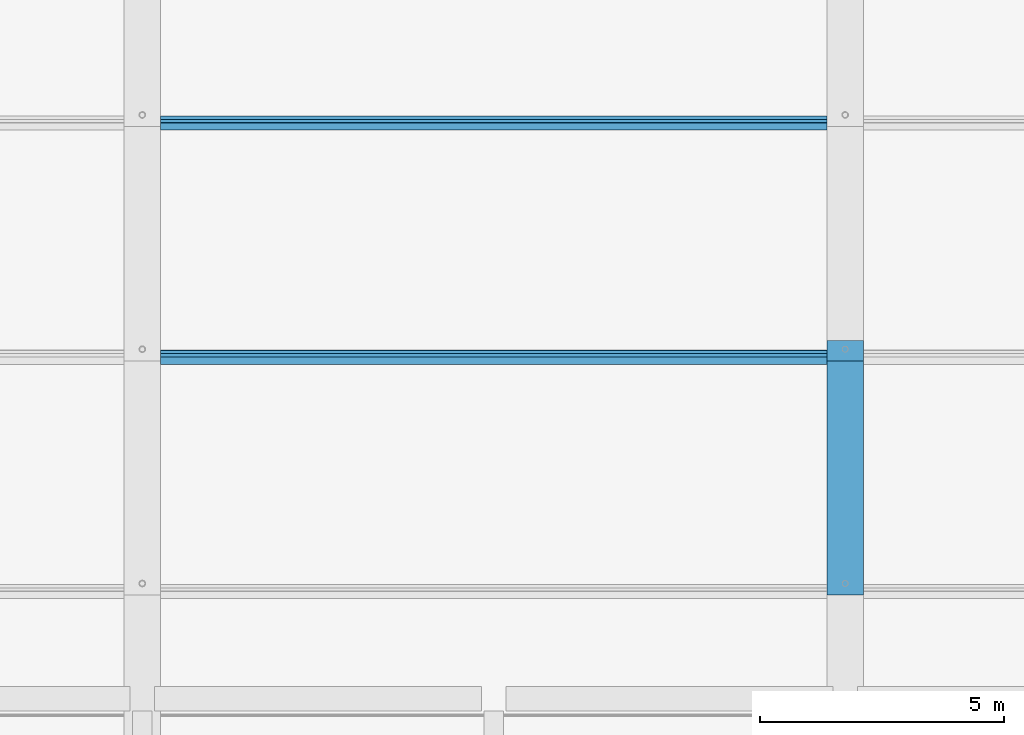
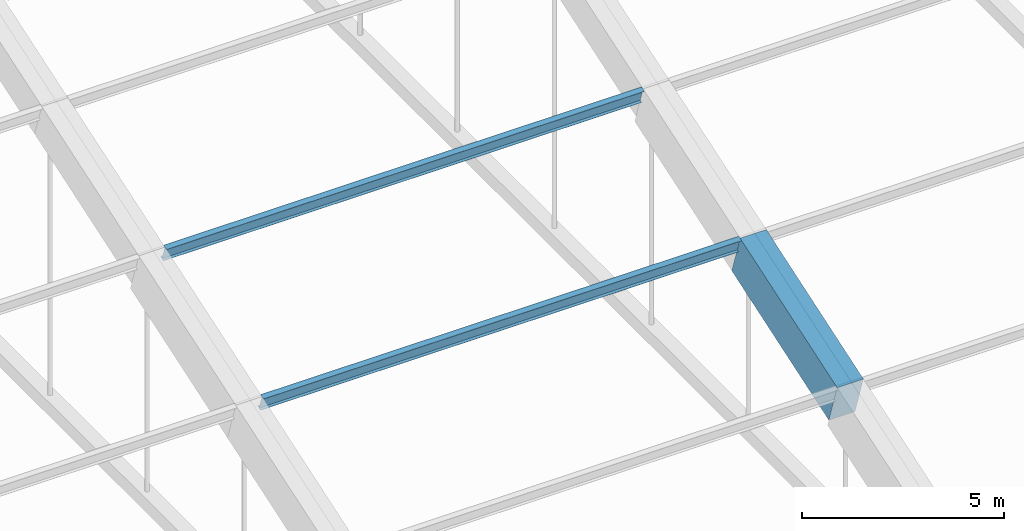
# One storey, part 11 of 149: 2 members, 1 beam.
"""IFC4 building model written with IfcOpenShell, lengths in metres."""

from ifc_helpers import new_model, si_unit, direction, frame, origin, origin_2d, place, context, subcontext, project, spatial, rectangle, i_section, extrude, material, material_profile, profile_set, type_object, element, save


model = new_model("IFC4")

# Units and contexts
model_context = context("Model", 3, precision=1e-05, world=origin(), true_north=direction((0.0, 1.0)))
body_context = subcontext(model_context, "Body", "Model", "MODEL_VIEW")
ifc_project = project(units=[si_unit("LENGTHUNIT", "METRE"), si_unit("AREAUNIT", "SQUARE_METRE"), si_unit("VOLUMEUNIT", "CUBIC_METRE"), si_unit("PLANEANGLEUNIT", "RADIAN"), si_unit("MASSUNIT", "GRAM", prefix="KILO")], contexts=[model_context])

# Site, building, storey
site_placement = place(None, origin())
site = spatial("IfcSite", under=ifc_project, at=site_placement, CompositionType="ELEMENT")
building_placement = place(site_placement, origin())
building = spatial("IfcBuilding", under=site, at=building_placement, Name="Alderwick Market Hall", CompositionType="ELEMENT")
storey_placement = place(building_placement, frame((0.0, 0.0, 9.60009765625)))
storey = spatial("IfcBuildingStorey", under=building, at=storey_placement, Name="L01", CompositionType="ELEMENT", Elevation=9.60009765625)

# Beam
ifc_material_1 = material(Name="Concrete 5000 psi (f'c 35 MPa)", Category="concrete")
ifc_material_profile_1 = material_profile(ifc_material_1, rectangle(XDim=0.75, YDim=1.300048828125, at=origin_2d()), Name="RC 750x1300")
ifc_profile_set_1 = profile_set([ifc_material_profile_1], Name="Concrete 5000 psi (f'c 35 MPa)")
beam_type = type_object("IfcBeamType", Name="R Arch Rib Haunch 750x1300", PredefinedType="BEAM", material=ifc_profile_set_1)
beam_placement = place(storey_placement, frame((79.199951171875, 59.96826171875, 9.894775390625), z_axis=(0.0, 0.948678472761, 0.316242241517), x_axis=(-1.0, 0.0, 0.0)))
element("IfcBeam", 1, at=beam_placement, inside=storey, type_object=beam_type, Name="Arch rib 3 chord 3", PredefinedType="BEAM", context=body_context, shape_type="SweptSolid", body=[
    extrude(rectangle(XDim=0.75, YDim=1.300048828125, at=origin_2d()), origin(), (0.0, 0.0, 1.0), 5.059814453125),
])

# Members
ifc_material_2 = material(Name="Steel ASTM A992 Grade 50", Category="steel")
ifc_material_profile_2 = material_profile(ifc_material_2, i_section(OverallWidth=0.153076171875, OverallDepth=0.455078125, WebThickness=0.008056640625, FlangeThickness=0.01318359375, at=origin_2d()), Name="W18x40")
ifc_profile_set_2 = profile_set([ifc_material_profile_2], Name="Steel ASTM A992 Grade 50")
member_type = type_object("IfcMemberType", Name="R Purlin W18x40", PredefinedType="PURLIN", material=ifc_profile_set_2)
for number, where, z_axis, x_axis, name in (
    (2, (65.175048828125, 64.63671875, 11.889892578125), (1.0, 0.0, 0.0), (0.0, 0.948683297073, 0.316227768949), "Roof purlin 4.2"),
    (3, (65.175048828125, 69.436767578125, 13.489990234375), (1.0, 0.0, 0.0), (0.0, 0.948683297073, 0.316227768949), "Roof purlin 5.2"),
):
    element("IfcMember", number, at=place(storey_placement, frame(where, z_axis=z_axis, x_axis=x_axis)), inside=storey, type_object=member_type, Name=name, PredefinedType="PURLIN", context=body_context, shape_type="SweptSolid", body=[
        extrude(i_section(OverallWidth=0.153076171875, OverallDepth=0.455078125, WebThickness=0.008056640625, FlangeThickness=0.01318359375, at=origin_2d()), origin(), (0.0, 0.0, 1.0), 13.64990234375),
    ])

save(model, "model.ifc")
